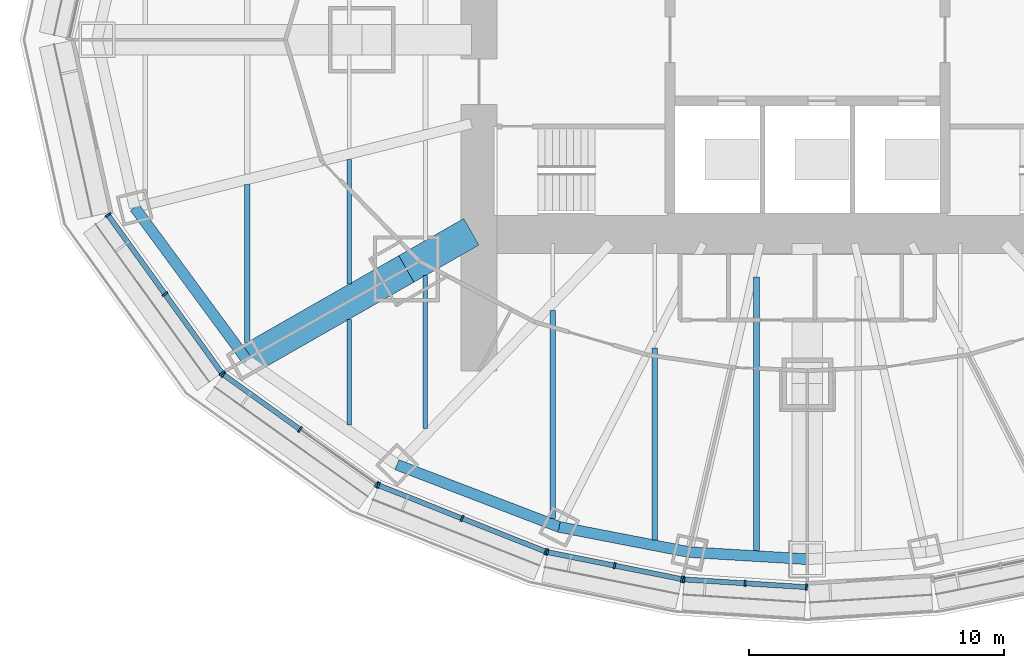
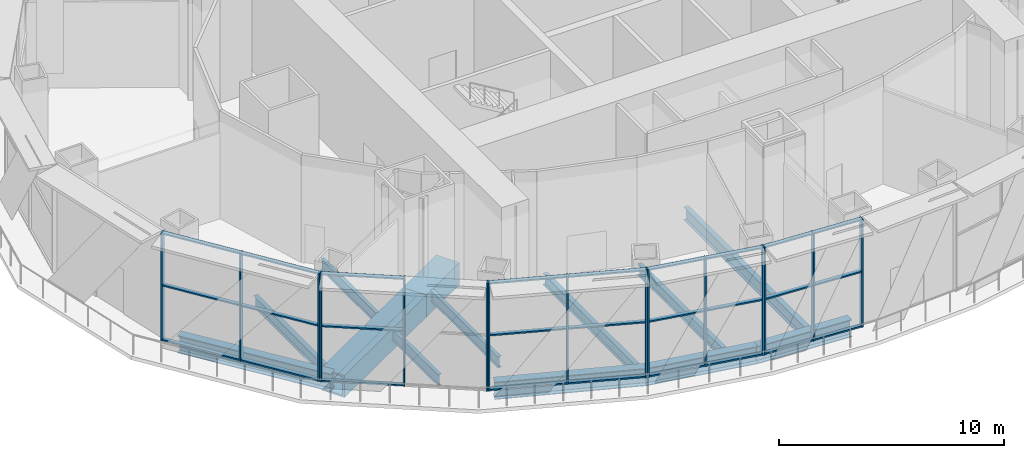
# One storey, part 2 of 21: 42 members, 13 beams, 5 elements without a shape of their own.
"""IFC4 building model written with IfcOpenShell, lengths in metres."""

from ifc_helpers import new_model, si_unit, direction, frame, origin, origin_2d, place, context, subcontext, project, spatial, rectangle, hollow_rectangle, i_section, extrude, material, material_profile, profile_set, type_object, element, aggregate, save


model = new_model("IFC4")

# Units and contexts
model_context = context("Model", 3, precision=1e-05, world=origin(), true_north=direction((0.0, 1.0)))
body_context = subcontext(model_context, "Body", "Model", "MODEL_VIEW")
ifc_project = project(units=[si_unit("LENGTHUNIT", "METRE"), si_unit("AREAUNIT", "SQUARE_METRE"), si_unit("VOLUMEUNIT", "CUBIC_METRE"), si_unit("PLANEANGLEUNIT", "RADIAN"), si_unit("MASSUNIT", "GRAM", prefix="KILO")], contexts=[model_context])

# Site, building, storey
site_placement = place(None, origin())
site = spatial("IfcSite", under=ifc_project, at=site_placement, CompositionType="ELEMENT")
building_placement = place(site_placement, origin())
building = spatial("IfcBuilding", under=site, at=building_placement, Name="Lantaw Convention Tower", CompositionType="ELEMENT")
storey_placement = place(building_placement, frame((0.0, 0.0, 111.39990234375)))
storey = spatial("IfcBuildingStorey", under=building, at=storey_placement, Name="L26", CompositionType="ELEMENT", Elevation=111.39990234375)

# Beams
ifc_material_1 = material(Name="Steel ASTM A992", Category="steel")
ifc_material_profile_1 = material_profile(ifc_material_1, i_section(OverallWidth=0.424072265625, OverallDepth=0.947509765625, WebThickness=0.02392578125, FlangeThickness=0.042724609375, FilletRadius=0.012451171875, at=origin_2d()), Name="W36X302")
ifc_profile_set_1 = profile_set([ifc_material_profile_1], Name="Steel ASTM A992")
beam_type_1 = type_object("IfcBeamType", Name="Beam BC W36X302", PredefinedType="SPANDREL", material=ifc_profile_set_1)
beam_1_placement = place(storey_placement, frame((-26.419921875, -6.587158203125, -0.673583984375), z_axis=(0.5923891972, -0.805651934176, 0.0), x_axis=(0.805651934176, 0.5923891972, 0.0)))
element("IfcBeam", 1, at=beam_1_placement, inside=storey, type_object=beam_type_1, Name="Belt truss chord 14", PredefinedType="SPANDREL", context=body_context, shape_type="SweptSolid", body=[
    extrude(i_section(OverallWidth=0.424072265625, OverallDepth=0.947509765625, WebThickness=0.02392578125, FlangeThickness=0.042724609375, FilletRadius=0.012451171875, at=origin_2d()), origin(), (0.0, 0.0, 1.0), 7.437744140625),
])
beam_2_placement = place(storey_placement, frame((-16.11767578125, -16.690185546875, -0.673583984375), z_axis=(0.933691081977, -0.358079549033, 0.0), x_axis=(0.358079549033, 0.933691081977, 0.0)))
element("IfcBeam", 2, at=beam_2_placement, inside=storey, type_object=beam_type_1, Name="Belt truss chord 16", PredefinedType="SPANDREL", context=body_context, shape_type="SweptSolid", body=[
    extrude(i_section(OverallWidth=0.424072265625, OverallDepth=0.947509765625, WebThickness=0.02392578125, FlangeThickness=0.042724609375, FilletRadius=0.012451171875, at=origin_2d()), origin(), (0.0, 0.0, 1.0), 6.821533203125),
])
beam_3_placement = place(storey_placement, frame((-9.74853515625, -19.1328125, -0.673583984375), z_axis=(0.981796805654, -0.189934284446, 0.0), x_axis=(0.189934284446, 0.981796805654, 0.0)))
element("IfcBeam", 3, at=beam_3_placement, inside=storey, type_object=beam_type_1, Name="Belt truss chord 17", PredefinedType="SPANDREL", context=body_context, shape_type="SweptSolid", body=[
    extrude(i_section(OverallWidth=0.424072265625, OverallDepth=0.947509765625, WebThickness=0.02392578125, FlangeThickness=0.042724609375, FilletRadius=0.012451171875, at=origin_2d()), origin(), (0.0, 0.0, 1.0), 5.1982421875),
])
beam_4_placement = place(storey_placement, frame((-4.64501953125, -20.1201171875, -0.673583984375), z_axis=(0.998190892054, -0.06012439621, 0.0), x_axis=(0.06012439621, 0.998190892054, 0.0)))
element("IfcBeam", 4, at=beam_4_placement, inside=storey, type_object=beam_type_1, Name="Belt truss chord 18", PredefinedType="SPANDREL", context=body_context, shape_type="SweptSolid", body=[
    extrude(i_section(OverallWidth=0.424072265625, OverallDepth=0.947509765625, WebThickness=0.02392578125, FlangeThickness=0.042724609375, FilletRadius=0.012451171875, at=origin_2d()), origin(), (0.0, 0.0, 1.0), 4.6533203125),
])
ifc_material_2 = material(Name="Steel EN 10025-3 S460N", Category="steel")
ifc_material_profile_2 = material_profile(ifc_material_2, hollow_rectangle(XDim=1.199951171875, YDim=1.199951171875, WallThickness=0.10009765625, at=origin_2d()), Name="BOX1200X100")
ifc_profile_set_2 = profile_set([ifc_material_profile_2], Name="Steel EN 10025-3 S460N")
beam_type_2 = type_object("IfcBeamType", Name="Beam G BOX1200X100", PredefinedType="BEAM", material=ifc_profile_set_2)
beam_5_placement = place(storey_placement, frame((-15.75, -9.0, -0.7998046875), z_axis=(-0.868245224608, -0.496135293993, 0.0), x_axis=(0.496135293993, -0.868245224608, 0.0)))
element("IfcBeam", 5, at=beam_5_placement, inside=storey, type_object=beam_type_2, Name="Floor girder on ray 15", PredefinedType="BEAM", context=body_context, shape_type="SweptSolid", body=[
    extrude(hollow_rectangle(XDim=1.199951171875, YDim=1.199951171875, WallThickness=0.10009765625, at=origin_2d()), origin(), (0.0, 0.0, 1.0), 7.21435546875),
])
ifc_material_profile_3 = material_profile(ifc_material_1, i_section(OverallWidth=0.177978515625, OverallDepth=0.599365234375, WebThickness=0.010009765625, FlangeThickness=0.012939453125, FilletRadius=0.012939453125, at=origin_2d()), Name="W24X55")
ifc_profile_set_3 = profile_set([ifc_material_profile_3], Name="Steel ASTM A992")
beam_type_3 = type_object("IfcBeamType", Name="Beam J W24X55", PredefinedType="JOIST", material=ifc_profile_set_3)
beam_6_placement = place(storey_placement, frame((-18.0, -15.119384765625, -0.49951171875), z_axis=(0.0, 1.0, 0.0), x_axis=(-1.0, 0.0, 0.0)))
element("IfcBeam", 6, at=beam_6_placement, inside=storey, type_object=beam_type_3, Name="Floor joist", PredefinedType="JOIST", context=body_context, shape_type="SweptSolid", body=[
    extrude(i_section(OverallWidth=0.177978515625, OverallDepth=0.599365234375, WebThickness=0.010009765625, FlangeThickness=0.012939453125, FilletRadius=0.012939453125, at=origin_2d()), origin(), (0.0, 0.0, 1.0), 4.142578125),
])
beam_7_placement = place(storey_placement, frame((-18.0, -9.5947265625, -0.49951171875), z_axis=(0.0, 1.0, 0.0), x_axis=(-1.0, 0.0, 0.0)))
element("IfcBeam", 7, at=beam_7_placement, inside=storey, type_object=beam_type_3, Name="Floor joist", PredefinedType="JOIST", context=body_context, shape_type="SweptSolid", body=[
    extrude(i_section(OverallWidth=0.177978515625, OverallDepth=0.599365234375, WebThickness=0.010009765625, FlangeThickness=0.012939453125, FilletRadius=0.012939453125, at=origin_2d()), origin(), (0.0, 0.0, 1.0), 4.898681640625),
])
beam_8_placement = place(storey_placement, frame((-15.0, -15.2568359375, -0.49951171875), z_axis=(0.0, 1.0, 0.0), x_axis=(-1.0, 0.0, 0.0)))
element("IfcBeam", 8, at=beam_8_placement, inside=storey, type_object=beam_type_3, Name="Floor joist", PredefinedType="JOIST", context=body_context, shape_type="SweptSolid", body=[
    extrude(i_section(OverallWidth=0.177978515625, OverallDepth=0.599365234375, WebThickness=0.010009765625, FlangeThickness=0.012939453125, FilletRadius=0.012939453125, at=origin_2d()), origin(), (0.0, 0.0, 1.0), 5.994384765625),
])
ifc_material_profile_4 = material_profile(ifc_material_1, i_section(OverallWidth=0.227783203125, OverallDepth=0.60205078125, WebThickness=0.010498046875, FlangeThickness=0.014892578125, FilletRadius=0.012939453125, at=origin_2d()), Name="W24X68")
ifc_profile_set_4 = profile_set([ifc_material_profile_4], Name="Steel ASTM A992")
beam_type_4 = type_object("IfcBeamType", Name="Beam J W24X68", PredefinedType="JOIST", material=ifc_profile_set_4)
beam_9_placement = place(storey_placement, frame((-6.0, -19.641845703125, -0.5009765625), z_axis=(0.0, 1.0, 0.0), x_axis=(-1.0, 0.0, 0.0)))
element("IfcBeam", 9, at=beam_9_placement, inside=storey, type_object=beam_type_4, Name="Floor joist", PredefinedType="JOIST", context=body_context, shape_type="SweptSolid", body=[
    extrude(i_section(OverallWidth=0.227783203125, OverallDepth=0.60205078125, WebThickness=0.010498046875, FlangeThickness=0.014892578125, FilletRadius=0.012939453125, at=origin_2d()), origin(), (0.0, 0.0, 1.0), 7.54443359375),
])
ifc_material_profile_5 = material_profile(ifc_material_1, i_section(OverallWidth=0.22900390625, OverallDepth=0.612060546875, WebThickness=0.011962890625, FlangeThickness=0.01953125, FilletRadius=0.0126953125, at=origin_2d()), Name="W24X84")
ifc_profile_set_5 = profile_set([ifc_material_profile_5], Name="Steel ASTM A992")
beam_type_5 = type_object("IfcBeamType", Name="Beam J W24X84", PredefinedType="JOIST", material=ifc_profile_set_5)
beam_10_placement = place(storey_placement, frame((-22.0, -11.88037109375, -0.505859375), z_axis=(0.0, 1.0, 0.0), x_axis=(-1.0, 0.0, 0.0)))
element("IfcBeam", 10, at=beam_10_placement, inside=storey, type_object=beam_type_5, Name="Floor joist", PredefinedType="JOIST", context=body_context, shape_type="SweptSolid", body=[
    extrude(i_section(OverallWidth=0.22900390625, OverallDepth=0.612060546875, WebThickness=0.011962890625, FlangeThickness=0.01953125, FilletRadius=0.0126953125, at=origin_2d()), origin(), (0.0, 0.0, 1.0), 6.18701171875),
])
beam_11_placement = place(storey_placement, frame((-10.0, -18.80908203125, -0.505859375), z_axis=(0.0, 1.0, 0.0), x_axis=(-1.0, 0.0, 0.0)))
element("IfcBeam", 11, at=beam_11_placement, inside=storey, type_object=beam_type_5, Name="Floor joist", PredefinedType="JOIST", context=body_context, shape_type="SweptSolid", body=[
    extrude(i_section(OverallWidth=0.22900390625, OverallDepth=0.612060546875, WebThickness=0.011962890625, FlangeThickness=0.01953125, FilletRadius=0.0126953125, at=origin_2d()), origin(), (0.0, 0.0, 1.0), 8.177734375),
])
ifc_material_profile_6 = material_profile(ifc_material_1, i_section(OverallWidth=0.25390625, OverallDepth=0.700927734375, WebThickness=0.015380859375, FlangeThickness=0.02783203125, FilletRadius=0.01513671875, at=origin_2d()), Name="W27X129")
ifc_profile_set_6 = profile_set([ifc_material_profile_6], Name="Steel ASTM A992")
beam_type_6 = type_object("IfcBeamType", Name="Beam J W27X129", PredefinedType="JOIST", material=ifc_profile_set_6)
beam_12_placement = place(storey_placement, frame((-2.0, -20.06689453125, -0.550537109375), z_axis=(0.0, 1.0, 0.0), x_axis=(-1.0, 0.0, 0.0)))
element("IfcBeam", 12, at=beam_12_placement, inside=storey, type_object=beam_type_6, Name="Floor joist", PredefinedType="JOIST", context=body_context, shape_type="SweptSolid", body=[
    extrude(i_section(OverallWidth=0.25390625, OverallDepth=0.700927734375, WebThickness=0.015380859375, FlangeThickness=0.02783203125, FilletRadius=0.01513671875, at=origin_2d()), origin(), (0.0, 0.0, 1.0), 10.754638671875),
])
ifc_material_profile_7 = material_profile(ifc_material_2, hollow_rectangle(XDim=1.199951171875, YDim=1.199951171875, WallThickness=0.10009765625, at=origin_2d()), Name="BOX1200X100")
ifc_profile_set_7 = profile_set([ifc_material_profile_7], Name="Steel EN 10025-3 S460N")
beam_type_7 = type_object("IfcBeamType", Name="Beam OC BOX1200X100", PredefinedType="BEAM", material=ifc_profile_set_7)
beam_13_placement = place(storey_placement, frame((-13.199951171875, -7.54296875, -0.7998046875), z_axis=(-0.868263603466, -0.496103129295, 0.0), x_axis=(0.496103129295, -0.868263603466, 0.0)))
element("IfcBeam", 13, at=beam_13_placement, inside=storey, type_object=beam_type_7, Name="Outrigger chord on ray 15", PredefinedType="BEAM", context=body_context, shape_type="SweptSolid", body=[
    extrude(hollow_rectangle(XDim=1.199951171875, YDim=1.199951171875, WallThickness=0.10009765625, at=origin_2d()), origin(), (0.0, 0.0, 1.0), 2.93701171875),
])

# Curtain wall, members
ifc_material_3 = material(Name="Aluminium framed curtain wall", Category="aluminium")
curtain_wall_type = type_object("IfcCurtainWallType", Name="Sky lobby curtain wall L26, pale aluminium", PredefinedType="USERDEFINED", material=ifc_material_3)
curtain_wall_1_placement = place(storey_placement, origin())
curtain_wall_1 = element("IfcCurtainWall", 14, at=curtain_wall_1_placement, inside=storey, type_object=curtain_wall_type, Name="Sky lobby curtain wall L26, pale aluminium L26", ObjectType="STICK CURTAIN WALL", PredefinedType="USERDEFINED")
ifc_material_4 = material(Name="Aluminium 6063-T6", Category="aluminium")
ifc_material_profile_8 = material_profile(ifc_material_4, rectangle(XDim=0.25, YDim=0.074951171875, at=origin_2d()), Name="CW-SL mullion 75x250")
ifc_profile_set_8 = profile_set([ifc_material_profile_8], Name="Aluminium 6063-T6")
member_type_1 = type_object("IfcMemberType", Name="CW-SL mullion 75x250", PredefinedType="MULLION", material=ifc_profile_set_8)
member_1_placement = place(storey_placement, frame((-27.46533203125, -6.8837890625, 0.0), z_axis=(0.0, 0.0, 1.0), x_axis=(0.811384633629, 0.584512597221, 0.0)))
member_1 = element("IfcMember", 15, at=member_1_placement, type_object=member_type_1, Name="CW-SL mullion 1", PredefinedType="MULLION", context=body_context, shape_type="SweptSolid", body=[
    extrude(rectangle(XDim=0.25, YDim=0.074951171875, at=origin_2d()), origin(), (0.0, 0.0, 1.0), 5.85009765625),
])
member_2_placement = place(storey_placement, frame((-25.22802734375, -9.9892578125, 0.0), z_axis=(0.0, 0.0, 1.0), x_axis=(0.811384633629, 0.584512597221, 0.0)))
member_2 = element("IfcMember", 16, at=member_2_placement, type_object=member_type_1, Name="CW-SL mullion 2", PredefinedType="MULLION", context=body_context, shape_type="SweptSolid", body=[
    extrude(rectangle(XDim=0.25, YDim=0.074951171875, at=origin_2d()), origin(), (0.0, 0.0, 1.0), 5.85009765625),
])
member_3_placement = place(storey_placement, frame((-22.990966796875, -13.0947265625, 0.0), z_axis=(0.0, 0.0, 1.0), x_axis=(0.811384633629, 0.584512597221, 0.0)))
member_3 = element("IfcMember", 17, at=member_3_placement, type_object=member_type_1, Name="CW-SL mullion 3", PredefinedType="MULLION", context=body_context, shape_type="SweptSolid", body=[
    extrude(rectangle(XDim=0.25, YDim=0.074951171875, at=origin_2d()), origin(), (0.0, 0.0, 1.0), 5.85009765625),
])

curtain_wall_2_placement = place(storey_placement, origin())
curtain_wall_2 = element("IfcCurtainWall", 18, at=curtain_wall_2_placement, inside=storey, type_object=curtain_wall_type, Name="Sky lobby curtain wall L26, pale aluminium L26", ObjectType="STICK CURTAIN WALL", PredefinedType="USERDEFINED")
member_4_placement = place(storey_placement, frame((-22.9384765625, -13.14697265625, 0.0), z_axis=(0.0, 0.0, 1.0), x_axis=(0.581972695693, 0.813208325995, 0.0)))
member_4 = element("IfcMember", 19, at=member_4_placement, type_object=member_type_1, Name="CW-SL mullion 1", PredefinedType="MULLION", context=body_context, shape_type="SweptSolid", body=[
    extrude(rectangle(XDim=0.25, YDim=0.074951171875, at=origin_2d()), origin(), (0.0, 0.0, 1.0), 5.85009765625),
])
member_5_placement = place(storey_placement, frame((-19.92529296875, -15.303466796875, 0.0), z_axis=(0.0, 0.0, 1.0), x_axis=(0.581972695693, 0.813208325995, 0.0)))
member_5 = element("IfcMember", 20, at=member_5_placement, type_object=member_type_1, Name="CW-SL mullion 2", PredefinedType="MULLION", context=body_context, shape_type="SweptSolid", body=[
    extrude(rectangle(XDim=0.25, YDim=0.074951171875, at=origin_2d()), origin(), (0.0, 0.0, 1.0), 5.85009765625),
])
member_6_placement = place(storey_placement, frame((-16.912353515625, -17.459716796875, 0.0), z_axis=(0.0, 0.0, 1.0), x_axis=(0.581972695693, 0.813208325995, 0.0)))
member_6 = element("IfcMember", 21, at=member_6_placement, type_object=member_type_1, Name="CW-SL mullion 3", PredefinedType="MULLION", context=body_context, shape_type="SweptSolid", body=[
    extrude(rectangle(XDim=0.25, YDim=0.074951171875, at=origin_2d()), origin(), (0.0, 0.0, 1.0), 5.85009765625),
])

curtain_wall_3_placement = place(storey_placement, origin())
curtain_wall_3 = element("IfcCurtainWall", 22, at=curtain_wall_3_placement, inside=storey, type_object=curtain_wall_type, Name="Sky lobby curtain wall L26, pale aluminium L26", ObjectType="STICK CURTAIN WALL", PredefinedType="USERDEFINED")
member_7_placement = place(storey_placement, frame((-16.846923828125, -17.495361328125, 0.0), z_axis=(0.0, 0.0, 1.0), x_axis=(0.368701907483, 0.929547687544, 0.0)))
member_7 = element("IfcMember", 23, at=member_7_placement, type_object=member_type_1, Name="CW-SL mullion 1", PredefinedType="MULLION", context=body_context, shape_type="SweptSolid", body=[
    extrude(rectangle(XDim=0.25, YDim=0.074951171875, at=origin_2d()), origin(), (0.0, 0.0, 1.0), 5.85009765625),
])
member_8_placement = place(storey_placement, frame((-13.56494140625, -18.797119140625, 0.0), z_axis=(0.0, 0.0, 1.0), x_axis=(0.368701907483, 0.929547687544, 0.0)))
member_8 = element("IfcMember", 24, at=member_8_placement, type_object=member_type_1, Name="CW-SL mullion 2", PredefinedType="MULLION", context=body_context, shape_type="SweptSolid", body=[
    extrude(rectangle(XDim=0.25, YDim=0.074951171875, at=origin_2d()), origin(), (0.0, 0.0, 1.0), 5.85009765625),
])
member_9_placement = place(storey_placement, frame((-10.282958984375, -20.098876953125, 0.0), z_axis=(0.0, 0.0, 1.0), x_axis=(0.368701907483, 0.929547687544, 0.0)))
member_9 = element("IfcMember", 25, at=member_9_placement, type_object=member_type_1, Name="CW-SL mullion 3", PredefinedType="MULLION", context=body_context, shape_type="SweptSolid", body=[
    extrude(rectangle(XDim=0.25, YDim=0.074951171875, at=origin_2d()), origin(), (0.0, 0.0, 1.0), 5.85009765625),
])

curtain_wall_4_placement = place(storey_placement, origin())
curtain_wall_4 = element("IfcCurtainWall", 26, at=curtain_wall_4_placement, inside=storey, type_object=curtain_wall_type, Name="Sky lobby curtain wall L26, pale aluminium L26", ObjectType="STICK CURTAIN WALL", PredefinedType="USERDEFINED")
member_10_placement = place(storey_placement, frame((-10.211181640625, -20.1201171875, 0.0), z_axis=(0.0, 0.0, 1.0), x_axis=(0.197506809659, 0.980301514912, 0.0)))
member_10 = element("IfcMember", 27, at=member_10_placement, type_object=member_type_1, Name="CW-SL mullion 1", PredefinedType="MULLION", context=body_context, shape_type="SweptSolid", body=[
    extrude(rectangle(XDim=0.25, YDim=0.074951171875, at=origin_2d()), origin(), (0.0, 0.0, 1.0), 5.85009765625),
])
member_11_placement = place(storey_placement, frame((-7.5703125, -20.65234375, 0.0), z_axis=(0.0, 0.0, 1.0), x_axis=(0.197506809659, 0.980301514912, 0.0)))
member_11 = element("IfcMember", 28, at=member_11_placement, type_object=member_type_1, Name="CW-SL mullion 2", PredefinedType="MULLION", context=body_context, shape_type="SweptSolid", body=[
    extrude(rectangle(XDim=0.25, YDim=0.074951171875, at=origin_2d()), origin(), (0.0, 0.0, 1.0), 5.85009765625),
])
member_12_placement = place(storey_placement, frame((-4.92919921875, -21.184326171875, 0.0), z_axis=(0.0, 0.0, 1.0), x_axis=(0.197506809659, 0.980301514912, 0.0)))
member_12 = element("IfcMember", 29, at=member_12_placement, type_object=member_type_1, Name="CW-SL mullion 3", PredefinedType="MULLION", context=body_context, shape_type="SweptSolid", body=[
    extrude(rectangle(XDim=0.25, YDim=0.074951171875, at=origin_2d()), origin(), (0.0, 0.0, 1.0), 5.85009765625),
])

curtain_wall_5_placement = place(storey_placement, origin())
curtain_wall_5 = element("IfcCurtainWall", 30, at=curtain_wall_5_placement, inside=storey, type_object=curtain_wall_type, Name="Sky lobby curtain wall L26, pale aluminium L26", ObjectType="STICK CURTAIN WALL", PredefinedType="USERDEFINED")
member_13_placement = place(storey_placement, frame((-4.85498046875, -21.194091796875, 0.0), z_axis=(0.0, 0.0, 1.0), x_axis=(0.062865059466, 0.998022035978, 0.0)))
member_13 = element("IfcMember", 31, at=member_13_placement, type_object=member_type_1, Name="CW-SL mullion 1", PredefinedType="MULLION", context=body_context, shape_type="SweptSolid", body=[
    extrude(rectangle(XDim=0.25, YDim=0.074951171875, at=origin_2d()), origin(), (0.0, 0.0, 1.0), 5.85009765625),
])
member_14_placement = place(storey_placement, frame((-2.4462890625, -21.345947265625, 0.0), z_axis=(0.0, 0.0, 1.0), x_axis=(0.062865059466, 0.998022035978, 0.0)))
member_14 = element("IfcMember", 32, at=member_14_placement, type_object=member_type_1, Name="CW-SL mullion 2", PredefinedType="MULLION", context=body_context, shape_type="SweptSolid", body=[
    extrude(rectangle(XDim=0.25, YDim=0.074951171875, at=origin_2d()), origin(), (0.0, 0.0, 1.0), 5.85009765625),
])
member_15_placement = place(storey_placement, frame((-0.037353515625, -21.49755859375, 0.0), z_axis=(0.0, 0.0, 1.0), x_axis=(0.062865059466, 0.998022035978, 0.0)))
member_15 = element("IfcMember", 33, at=member_15_placement, type_object=member_type_1, Name="CW-SL mullion 3", PredefinedType="MULLION", context=body_context, shape_type="SweptSolid", body=[
    extrude(rectangle(XDim=0.25, YDim=0.074951171875, at=origin_2d()), origin(), (0.0, 0.0, 1.0), 5.85009765625),
])

# Member
ifc_material_profile_9 = material_profile(ifc_material_4, rectangle(XDim=0.199951171875, YDim=0.074951171875, at=origin_2d()), Name="CW-SL transom 75x200")
ifc_profile_set_9 = profile_set([ifc_material_profile_9], Name="Aluminium 6063-T6")
member_type_2 = type_object("IfcMemberType", Name="CW-SL transom 75x200", PredefinedType="USERDEFINED", material=ifc_profile_set_9)
member_16_placement = place(storey_placement, frame((-27.443359375, -6.914306640625, 0.03759765625), z_axis=(0.584544666344, -0.811361530422, 0.0), x_axis=(0.811361530422, 0.584544666344, 0.0)))
member_16 = element("IfcMember", 34, at=member_16_placement, type_object=member_type_2, Name="CW-SL transom 1.1", ObjectType="TRANSOM", PredefinedType="USERDEFINED", context=body_context, shape_type="SweptSolid", body=[
    extrude(rectangle(XDim=0.199951171875, YDim=0.074951171875, at=origin_2d()), origin(), (0.0, 0.0, 1.0), 3.752197265625),
])

member_17_placement = place(storey_placement, frame((-27.443359375, -6.914306640625, 3.0), z_axis=(0.584544666344, -0.811361530422, 0.0), x_axis=(0.811361530422, 0.584544666344, 0.0)))
member_17 = element("IfcMember", 35, at=member_17_placement, type_object=member_type_2, Name="CW-SL transom 1.2", ObjectType="TRANSOM", PredefinedType="USERDEFINED", context=body_context, shape_type="SweptSolid", body=[
    extrude(rectangle(XDim=0.199951171875, YDim=0.074951171875, at=origin_2d()), origin(), (0.0, 0.0, 1.0), 3.752197265625),
])

member_18_placement = place(storey_placement, frame((-27.443359375, -6.914306640625, 5.8125), z_axis=(0.584544666344, -0.811361530422, 0.0), x_axis=(0.811361530422, 0.584544666344, 0.0)))
member_18 = element("IfcMember", 36, at=member_18_placement, type_object=member_type_2, Name="CW-SL transom 1.3", ObjectType="TRANSOM", PredefinedType="USERDEFINED", context=body_context, shape_type="SweptSolid", body=[
    extrude(rectangle(XDim=0.199951171875, YDim=0.074951171875, at=origin_2d()), origin(), (0.0, 0.0, 1.0), 3.752197265625),
])

member_19_placement = place(storey_placement, frame((-25.206298828125, -10.019775390625, 0.03759765625), z_axis=(0.584513808676, -0.811383760909, 0.0), x_axis=(0.811383760909, 0.584513808676, 0.0)))
member_19 = element("IfcMember", 37, at=member_19_placement, type_object=member_type_2, Name="CW-SL transom 2.1", ObjectType="TRANSOM", PredefinedType="USERDEFINED", context=body_context, shape_type="SweptSolid", body=[
    extrude(rectangle(XDim=0.199951171875, YDim=0.074951171875, at=origin_2d()), origin(), (0.0, 0.0, 1.0), 3.75244140625),
])

member_20_placement = place(storey_placement, frame((-25.206298828125, -10.019775390625, 3.0), z_axis=(0.584513808676, -0.811383760909, 0.0), x_axis=(0.811383760909, 0.584513808676, 0.0)))
member_20 = element("IfcMember", 38, at=member_20_placement, type_object=member_type_2, Name="CW-SL transom 2.2", ObjectType="TRANSOM", PredefinedType="USERDEFINED", context=body_context, shape_type="SweptSolid", body=[
    extrude(rectangle(XDim=0.199951171875, YDim=0.074951171875, at=origin_2d()), origin(), (0.0, 0.0, 1.0), 3.75244140625),
])

member_21_placement = place(storey_placement, frame((-25.206298828125, -10.019775390625, 5.8125), z_axis=(0.584513808676, -0.811383760909, 0.0), x_axis=(0.811383760909, 0.584513808676, 0.0)))
member_21 = element("IfcMember", 39, at=member_21_placement, type_object=member_type_2, Name="CW-SL transom 2.3", ObjectType="TRANSOM", PredefinedType="USERDEFINED", context=body_context, shape_type="SweptSolid", body=[
    extrude(rectangle(XDim=0.199951171875, YDim=0.074951171875, at=origin_2d()), origin(), (0.0, 0.0, 1.0), 3.75244140625),
])

aggregate(curtain_wall_1, [member_1, member_2, member_3, member_16, member_17, member_18, member_19, member_20, member_21])

member_22_placement = place(storey_placement, frame((-22.907958984375, -13.1689453125, 0.03759765625), z_axis=(0.813228763898, -0.581944136124, 0.0), x_axis=(0.581944136124, 0.813228763898, 0.0)))
member_22 = element("IfcMember", 40, at=member_22_placement, type_object=member_type_2, Name="CW-SL transom 1.1", ObjectType="TRANSOM", PredefinedType="USERDEFINED", context=body_context, shape_type="SweptSolid", body=[
    extrude(rectangle(XDim=0.199951171875, YDim=0.074951171875, at=origin_2d()), origin(), (0.0, 0.0, 1.0), 3.630126953125),
])

member_23_placement = place(storey_placement, frame((-22.907958984375, -13.1689453125, 3.0), z_axis=(0.813228763898, -0.581944136124, 0.0), x_axis=(0.581944136124, 0.813228763898, 0.0)))
member_23 = element("IfcMember", 41, at=member_23_placement, type_object=member_type_2, Name="CW-SL transom 1.2", ObjectType="TRANSOM", PredefinedType="USERDEFINED", context=body_context, shape_type="SweptSolid", body=[
    extrude(rectangle(XDim=0.199951171875, YDim=0.074951171875, at=origin_2d()), origin(), (0.0, 0.0, 1.0), 3.630126953125),
])

member_24_placement = place(storey_placement, frame((-22.907958984375, -13.1689453125, 5.8125), z_axis=(0.813228763898, -0.581944136124, 0.0), x_axis=(0.581944136124, 0.813228763898, 0.0)))
member_24 = element("IfcMember", 42, at=member_24_placement, type_object=member_type_2, Name="CW-SL transom 1.3", ObjectType="TRANSOM", PredefinedType="USERDEFINED", context=body_context, shape_type="SweptSolid", body=[
    extrude(rectangle(XDim=0.199951171875, YDim=0.074951171875, at=origin_2d()), origin(), (0.0, 0.0, 1.0), 3.630126953125),
])

aggregate(curtain_wall_2, [member_4, member_5, member_6, member_22, member_23, member_24])

member_25_placement = place(storey_placement, frame((-16.81201171875, -17.50927734375, 0.03759765625), z_axis=(0.929539914799, -0.368721503028, 0.0), x_axis=(0.368721503028, 0.929539914799, 0.0)))
member_25 = element("IfcMember", 43, at=member_25_placement, type_object=member_type_2, Name="CW-SL transom 1.1", ObjectType="TRANSOM", PredefinedType="USERDEFINED", context=body_context, shape_type="SweptSolid", body=[
    extrude(rectangle(XDim=0.199951171875, YDim=0.074951171875, at=origin_2d()), origin(), (0.0, 0.0, 1.0), 3.45556640625),
])

member_26_placement = place(storey_placement, frame((-16.81201171875, -17.50927734375, 3.0), z_axis=(0.929539914799, -0.368721503028, 0.0), x_axis=(0.368721503028, 0.929539914799, 0.0)))
member_26 = element("IfcMember", 44, at=member_26_placement, type_object=member_type_2, Name="CW-SL transom 1.2", ObjectType="TRANSOM", PredefinedType="USERDEFINED", context=body_context, shape_type="SweptSolid", body=[
    extrude(rectangle(XDim=0.199951171875, YDim=0.074951171875, at=origin_2d()), origin(), (0.0, 0.0, 1.0), 3.45556640625),
])

member_27_placement = place(storey_placement, frame((-16.81201171875, -17.50927734375, 5.8125), z_axis=(0.929539914799, -0.368721503028, 0.0), x_axis=(0.368721503028, 0.929539914799, 0.0)))
member_27 = element("IfcMember", 45, at=member_27_placement, type_object=member_type_2, Name="CW-SL transom 1.3", ObjectType="TRANSOM", PredefinedType="USERDEFINED", context=body_context, shape_type="SweptSolid", body=[
    extrude(rectangle(XDim=0.199951171875, YDim=0.074951171875, at=origin_2d()), origin(), (0.0, 0.0, 1.0), 3.45556640625),
])

member_28_placement = place(storey_placement, frame((-13.530029296875, -18.81103515625, 0.03759765625), z_axis=(0.92954951909, -0.368697289872, 0.0), x_axis=(0.368697289872, 0.92954951909, 0.0)))
member_28 = element("IfcMember", 46, at=member_28_placement, type_object=member_type_2, Name="CW-SL transom 2.1", ObjectType="TRANSOM", PredefinedType="USERDEFINED", context=body_context, shape_type="SweptSolid", body=[
    extrude(rectangle(XDim=0.199951171875, YDim=0.074951171875, at=origin_2d()), origin(), (0.0, 0.0, 1.0), 3.455810546875),
])

member_29_placement = place(storey_placement, frame((-13.530029296875, -18.81103515625, 3.0), z_axis=(0.92954951909, -0.368697289872, 0.0), x_axis=(0.368697289872, 0.92954951909, 0.0)))
member_29 = element("IfcMember", 47, at=member_29_placement, type_object=member_type_2, Name="CW-SL transom 2.2", ObjectType="TRANSOM", PredefinedType="USERDEFINED", context=body_context, shape_type="SweptSolid", body=[
    extrude(rectangle(XDim=0.199951171875, YDim=0.074951171875, at=origin_2d()), origin(), (0.0, 0.0, 1.0), 3.455810546875),
])

member_30_placement = place(storey_placement, frame((-13.530029296875, -18.81103515625, 5.8125), z_axis=(0.92954951909, -0.368697289872, 0.0), x_axis=(0.368697289872, 0.92954951909, 0.0)))
member_30 = element("IfcMember", 48, at=member_30_placement, type_object=member_type_2, Name="CW-SL transom 2.3", ObjectType="TRANSOM", PredefinedType="USERDEFINED", context=body_context, shape_type="SweptSolid", body=[
    extrude(rectangle(XDim=0.199951171875, YDim=0.074951171875, at=origin_2d()), origin(), (0.0, 0.0, 1.0), 3.455810546875),
])

aggregate(curtain_wall_3, [member_7, member_8, member_9, member_25, member_26, member_27, member_28, member_29, member_30])

member_31_placement = place(storey_placement, frame((-10.174560546875, -20.127685546875, 0.03759765625), z_axis=(0.980300045913, -0.197514100722, 0.0), x_axis=(0.197514100722, 0.980300045913, 0.0)))
member_31 = element("IfcMember", 49, at=member_31_placement, type_object=member_type_2, Name="CW-SL transom 1.1", ObjectType="TRANSOM", PredefinedType="USERDEFINED", context=body_context, shape_type="SweptSolid", body=[
    extrude(rectangle(XDim=0.199951171875, YDim=0.074951171875, at=origin_2d()), origin(), (0.0, 0.0, 1.0), 2.619140625),
])

member_32_placement = place(storey_placement, frame((-10.174560546875, -20.127685546875, 3.0), z_axis=(0.980300045913, -0.197514100722, 0.0), x_axis=(0.197514100722, 0.980300045913, 0.0)))
member_32 = element("IfcMember", 50, at=member_32_placement, type_object=member_type_2, Name="CW-SL transom 1.2", ObjectType="TRANSOM", PredefinedType="USERDEFINED", context=body_context, shape_type="SweptSolid", body=[
    extrude(rectangle(XDim=0.199951171875, YDim=0.074951171875, at=origin_2d()), origin(), (0.0, 0.0, 1.0), 2.619140625),
])

member_33_placement = place(storey_placement, frame((-10.174560546875, -20.127685546875, 5.8125), z_axis=(0.980300045913, -0.197514100722, 0.0), x_axis=(0.197514100722, 0.980300045913, 0.0)))
member_33 = element("IfcMember", 51, at=member_33_placement, type_object=member_type_2, Name="CW-SL transom 1.3", ObjectType="TRANSOM", PredefinedType="USERDEFINED", context=body_context, shape_type="SweptSolid", body=[
    extrude(rectangle(XDim=0.199951171875, YDim=0.074951171875, at=origin_2d()), origin(), (0.0, 0.0, 1.0), 2.619140625),
])

member_34_placement = place(storey_placement, frame((-7.533447265625, -20.65966796875, 0.03759765625), z_axis=(0.980296409083, -0.197532150138, 0.0), x_axis=(0.197532150138, 0.980296409083, 0.0)))
member_34 = element("IfcMember", 52, at=member_34_placement, type_object=member_type_2, Name="CW-SL transom 2.1", ObjectType="TRANSOM", PredefinedType="USERDEFINED", context=body_context, shape_type="SweptSolid", body=[
    extrude(rectangle(XDim=0.199951171875, YDim=0.074951171875, at=origin_2d()), origin(), (0.0, 0.0, 1.0), 2.618896484375),
])

member_35_placement = place(storey_placement, frame((-7.533447265625, -20.65966796875, 3.0), z_axis=(0.980296409083, -0.197532150138, 0.0), x_axis=(0.197532150138, 0.980296409083, 0.0)))
member_35 = element("IfcMember", 53, at=member_35_placement, type_object=member_type_2, Name="CW-SL transom 2.2", ObjectType="TRANSOM", PredefinedType="USERDEFINED", context=body_context, shape_type="SweptSolid", body=[
    extrude(rectangle(XDim=0.199951171875, YDim=0.074951171875, at=origin_2d()), origin(), (0.0, 0.0, 1.0), 2.618896484375),
])

member_36_placement = place(storey_placement, frame((-7.533447265625, -20.65966796875, 5.8125), z_axis=(0.980296409083, -0.197532150138, 0.0), x_axis=(0.197532150138, 0.980296409083, 0.0)))
member_36 = element("IfcMember", 54, at=member_36_placement, type_object=member_type_2, Name="CW-SL transom 2.3", ObjectType="TRANSOM", PredefinedType="USERDEFINED", context=body_context, shape_type="SweptSolid", body=[
    extrude(rectangle(XDim=0.199951171875, YDim=0.074951171875, at=origin_2d()), origin(), (0.0, 0.0, 1.0), 2.618896484375),
])

aggregate(curtain_wall_4, [member_10, member_11, member_12, member_31, member_32, member_33, member_34, member_35, member_36])

member_37_placement = place(storey_placement, frame((-4.817626953125, -21.196533203125, 0.03759765625), z_axis=(0.998023221725, -0.062846232163, 0.0), x_axis=(0.062846232163, 0.998023221725, 0.0)))
member_37 = element("IfcMember", 55, at=member_37_placement, type_object=member_type_2, Name="CW-SL transom 1.1", ObjectType="TRANSOM", PredefinedType="USERDEFINED", context=body_context, shape_type="SweptSolid", body=[
    extrude(rectangle(XDim=0.199951171875, YDim=0.074951171875, at=origin_2d()), origin(), (0.0, 0.0, 1.0), 2.338623046875),
])

member_38_placement = place(storey_placement, frame((-4.817626953125, -21.196533203125, 3.0), z_axis=(0.998023221725, -0.062846232163, 0.0), x_axis=(0.062846232163, 0.998023221725, 0.0)))
member_38 = element("IfcMember", 56, at=member_38_placement, type_object=member_type_2, Name="CW-SL transom 1.2", ObjectType="TRANSOM", PredefinedType="USERDEFINED", context=body_context, shape_type="SweptSolid", body=[
    extrude(rectangle(XDim=0.199951171875, YDim=0.074951171875, at=origin_2d()), origin(), (0.0, 0.0, 1.0), 2.338623046875),
])

member_39_placement = place(storey_placement, frame((-4.817626953125, -21.196533203125, 5.8125), z_axis=(0.998023221725, -0.062846232163, 0.0), x_axis=(0.062846232163, 0.998023221725, 0.0)))
member_39 = element("IfcMember", 57, at=member_39_placement, type_object=member_type_2, Name="CW-SL transom 1.3", ObjectType="TRANSOM", PredefinedType="USERDEFINED", context=body_context, shape_type="SweptSolid", body=[
    extrude(rectangle(XDim=0.199951171875, YDim=0.074951171875, at=origin_2d()), origin(), (0.0, 0.0, 1.0), 2.338623046875),
])

member_40_placement = place(storey_placement, frame((-2.408935546875, -21.348388671875, 0.03759765625), z_axis=(0.998023221725, -0.062846232163, 0.0), x_axis=(0.062846232163, 0.998023221725, 0.0)))
member_40 = element("IfcMember", 58, at=member_40_placement, type_object=member_type_2, Name="CW-SL transom 2.1", ObjectType="TRANSOM", PredefinedType="USERDEFINED", context=body_context, shape_type="SweptSolid", body=[
    extrude(rectangle(XDim=0.199951171875, YDim=0.074951171875, at=origin_2d()), origin(), (0.0, 0.0, 1.0), 2.338623046875),
])

member_41_placement = place(storey_placement, frame((-2.408935546875, -21.348388671875, 3.0), z_axis=(0.998023221725, -0.062846232163, 0.0), x_axis=(0.062846232163, 0.998023221725, 0.0)))
member_41 = element("IfcMember", 59, at=member_41_placement, type_object=member_type_2, Name="CW-SL transom 2.2", ObjectType="TRANSOM", PredefinedType="USERDEFINED", context=body_context, shape_type="SweptSolid", body=[
    extrude(rectangle(XDim=0.199951171875, YDim=0.074951171875, at=origin_2d()), origin(), (0.0, 0.0, 1.0), 2.338623046875),
])

member_42_placement = place(storey_placement, frame((-2.408935546875, -21.348388671875, 5.8125), z_axis=(0.998023221725, -0.062846232163, 0.0), x_axis=(0.062846232163, 0.998023221725, 0.0)))
member_42 = element("IfcMember", 60, at=member_42_placement, type_object=member_type_2, Name="CW-SL transom 2.3", ObjectType="TRANSOM", PredefinedType="USERDEFINED", context=body_context, shape_type="SweptSolid", body=[
    extrude(rectangle(XDim=0.199951171875, YDim=0.074951171875, at=origin_2d()), origin(), (0.0, 0.0, 1.0), 2.338623046875),
])

aggregate(curtain_wall_5, [member_13, member_14, member_15, member_37, member_38, member_39, member_40, member_41, member_42])

save(model, "model.ifc")
